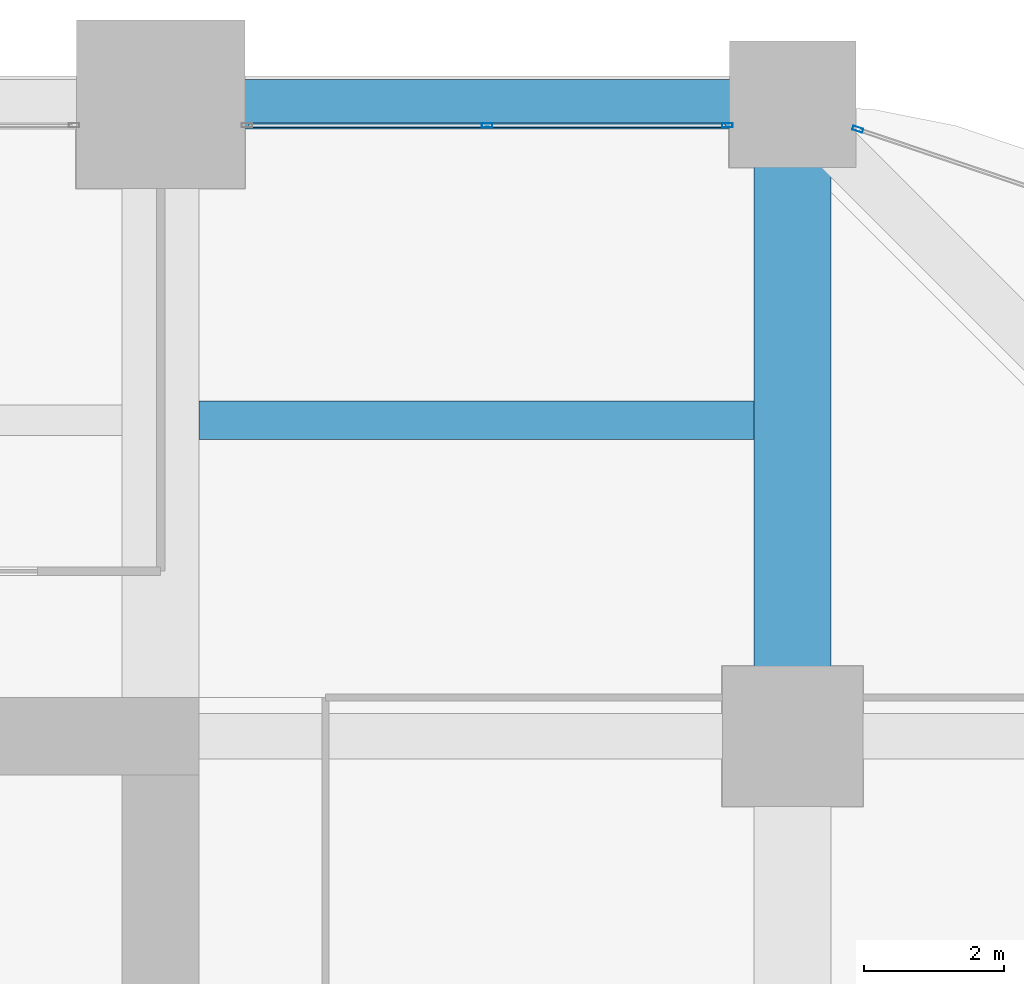
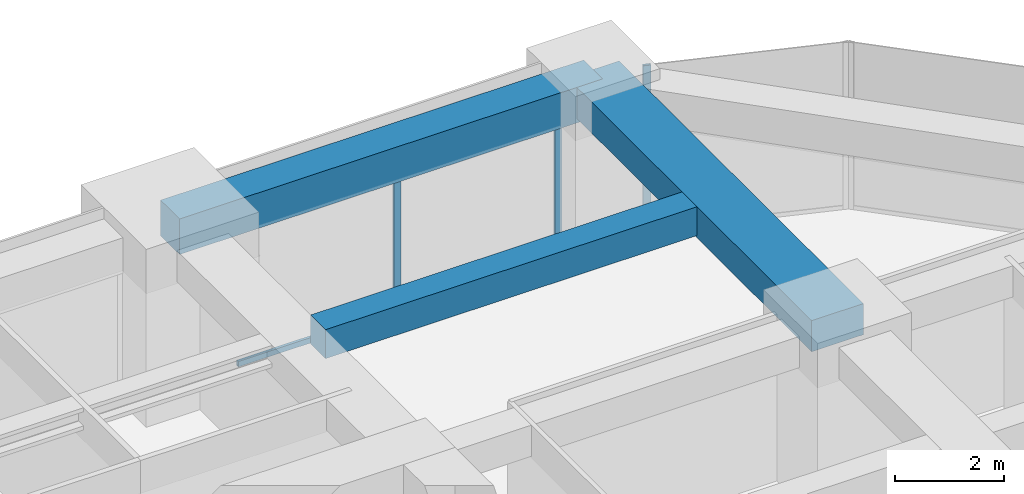
# One storey, part 33 of 41: 4 members, 3 beams, 2 elements without a shape of their own.
"""IFC4 building model written with IfcOpenShell, lengths in metres."""

from ifc_helpers import new_model, si_unit, direction, frame, origin, origin_2d, place, context, subcontext, project, spatial, rectangle, hollow_rectangle, extrude, material, material_profile, profile_set, type_object, element, aggregate, save


model = new_model("IFC4")

# Units and contexts
model_context = context("Model", 3, precision=1e-05, world=origin(), true_north=direction((0.0, 1.0)))
body_context = subcontext(model_context, "Body", "Model", "MODEL_VIEW")
ifc_project = project(units=[si_unit("LENGTHUNIT", "METRE"), si_unit("AREAUNIT", "SQUARE_METRE"), si_unit("VOLUMEUNIT", "CUBIC_METRE"), si_unit("PLANEANGLEUNIT", "RADIAN"), si_unit("MASSUNIT", "GRAM", prefix="KILO")], contexts=[model_context])

# Site, building, storey
site_placement = place(None, origin())
site = spatial("IfcSite", under=ifc_project, at=site_placement, CompositionType="ELEMENT")
building_placement = place(site_placement, origin())
building = spatial("IfcBuilding", under=site, at=building_placement, Name="Zorevar Civic Tower", CompositionType="ELEMENT")
storey_placement = place(building_placement, frame((0.0, 0.0, 113.0)))
storey = spatial("IfcBuildingStorey", under=building, at=storey_placement, Name="L27", CompositionType="ELEMENT", Elevation=113.0)

# Beams
ifc_material_1 = material(Name="Concrete C50/60", Category="concrete")
ifc_material_profile_1 = material_profile(ifc_material_1, rectangle(XDim=1.10009765625, YDim=0.699951171875, at=origin_2d()), Name="RC 1100x700")
ifc_profile_set_1 = profile_set([ifc_material_profile_1], Name="Concrete C50/60")
beam_type_1 = type_object("IfcBeamType", Name="Beam RC 1100x700", PredefinedType="BEAM", material=ifc_profile_set_1)
beam_1_placement = place(storey_placement, frame((54.0, 36.0, 3.39990234375), z_axis=(0.0, 1.0, 0.0), x_axis=(-1.0, 0.0, 0.0)))
element("IfcBeam", 1, at=beam_1_placement, inside=storey, type_object=beam_type_1, Name="Girder L28", PredefinedType="BEAM", context=body_context, shape_type="SweptSolid", body=[
    extrude(rectangle(XDim=1.10009765625, YDim=0.699951171875, at=origin_2d()), origin(), (0.0, 0.0, 1.0), 9.0),
])
ifc_material_2 = material(Name="Concrete C50/60", Category="concrete")
ifc_material_profile_2 = material_profile(ifc_material_2, rectangle(XDim=0.550048828125, YDim=0.64990234375, at=origin_2d()), Name="RC 550x650")
ifc_profile_set_2 = profile_set([ifc_material_profile_2], Name="Concrete C50/60")
beam_type_2 = type_object("IfcBeamType", Name="Beam RC 550x650", PredefinedType="BEAM", material=ifc_profile_set_2)
beam_2_placement = place(storey_placement, frame((45.550048828125, 40.5, 3.425048828125), z_axis=(1.0, 0.0, 0.0), x_axis=(0.0, 1.0, 0.0)))
element("IfcBeam", 2, at=beam_2_placement, inside=storey, type_object=beam_type_2, Name="Secondary beam L28", PredefinedType="BEAM", context=body_context, shape_type="SweptSolid", body=[
    extrude(rectangle(XDim=0.550048828125, YDim=0.64990234375, at=origin_2d()), origin(), (0.0, 0.0, 1.0), 7.89990234375),
])

# Curtain wall, members
ifc_material_3 = material(Name="Dark grey solar-control glass in black aluminium frame", Category="aluminium")
curtain_wall_type = type_object("IfcCurtainWallType", Name="Curtain wall CW3 mid zone", PredefinedType="NOTDEFINED", material=ifc_material_3)
curtain_wall_1_placement = place(storey_placement, origin())
curtain_wall_1 = element("IfcCurtainWall", 3, at=curtain_wall_1_placement, inside=storey, type_object=curtain_wall_type, Name="CW3 L27", PredefinedType="NOTDEFINED")
ifc_material_4 = material(Name="Aluminium, black anodised", Category="aluminium")
ifc_material_profile_3 = material_profile(ifc_material_4, hollow_rectangle(XDim=0.06005859375, YDim=0.14990234375, WallThickness=0.00390625, at=origin_2d()), Name="AL 150x60x4")
ifc_profile_set_3 = profile_set([ifc_material_profile_3], Name="Aluminium, black anodised")
member_type_1 = type_object("IfcMemberType", Name="CW3 mullion AL 150x60x4", PredefinedType="MULLION", material=ifc_profile_set_3)
member_1_placement = place(storey_placement, frame((49.64990234375, 44.699951171875, 0.06005859375), z_axis=(0.0, 0.0, 1.0), x_axis=(0.0, 1.0, 0.0)))
member_1 = element("IfcMember", 4, at=member_1_placement, type_object=member_type_1, Name="CW3 mullion 2", PredefinedType="MULLION", context=body_context, shape_type="SweptSolid", body=[
    extrude(hollow_rectangle(XDim=0.06005859375, YDim=0.14990234375, WallThickness=0.00390625, at=origin_2d()), origin(), (0.0, 0.0, 1.0), 2.889892578125),
])
member_2_placement = place(storey_placement, frame((53.070068359375, 44.699951171875, 0.0), z_axis=(0.0, 0.0, 1.0), x_axis=(0.0, 1.0, 0.0)))
member_2 = element("IfcMember", 5, at=member_2_placement, type_object=member_type_1, Name="CW3 mullion 3", PredefinedType="MULLION", context=body_context, shape_type="SweptSolid", body=[
    extrude(hollow_rectangle(XDim=0.06005859375, YDim=0.14990234375, WallThickness=0.00390625, at=origin_2d()), origin(), (0.0, 0.0, 1.0), 2.949951171875),
])

# Curtain wall, member
curtain_wall_2_placement = place(storey_placement, origin())
curtain_wall_2 = element("IfcCurtainWall", 6, at=curtain_wall_2_placement, inside=storey, type_object=curtain_wall_type, Name="CW3 L27", PredefinedType="NOTDEFINED")
member_3_placement = place(storey_placement, frame((54.928466796875, 44.643798828125, 0.0), z_axis=(0.0, 0.0, 1.0), x_axis=(-0.319412525043, -0.947615765406, 0.0)))
member_3 = element("IfcMember", 7, at=member_3_placement, type_object=member_type_1, Name="CW3 mullion 2", PredefinedType="MULLION", context=body_context, shape_type="SweptSolid", body=[
    extrude(hollow_rectangle(XDim=0.06005859375, YDim=0.14990234375, WallThickness=0.00390625, at=origin_2d()), origin(), (0.0, 0.0, 1.0), 3.75),
])
aggregate(curtain_wall_2, [member_3])

# Member
ifc_material_5 = material(Name="Aluminium, black anodised", Category="aluminium")
ifc_material_profile_4 = material_profile(ifc_material_5, hollow_rectangle(XDim=0.06005859375, YDim=0.1201171875, WallThickness=0.0029296875, at=origin_2d()), Name="AL 120x60x3")
ifc_profile_set_4 = profile_set([ifc_material_profile_4], Name="Aluminium, black anodised")
member_type_2 = type_object("IfcMemberType", Name="CW3 transom AL 120x60x3", PredefinedType="USERDEFINED", material=ifc_profile_set_4)
member_4_placement = place(storey_placement, frame((46.260009765625, 44.699951171875, 0.030029296875), z_axis=(1.0, 0.0, 0.0), x_axis=(0.0, 1.0, 0.0)))
member_4 = element("IfcMember", 8, at=member_4_placement, type_object=member_type_2, Name="CW3 sill transom", ObjectType="TRANSOM", PredefinedType="USERDEFINED", context=body_context, shape_type="SweptSolid", body=[
    extrude(hollow_rectangle(XDim=0.06005859375, YDim=0.1201171875, WallThickness=0.0029296875, at=origin_2d()), origin(), (0.0, 0.0, 1.0), 6.780029296875),
])

aggregate(curtain_wall_1, [member_1, member_2, member_4])

# Beam
ifc_material_6 = material(Name="Concrete C50/60", Category="concrete")
ifc_material_profile_5 = material_profile(ifc_material_6, rectangle(XDim=0.699951171875, YDim=0.800048828125, at=origin_2d()), Name="RC 700x800")
ifc_profile_set_5 = profile_set([ifc_material_profile_5], Name="Concrete C50/60")
beam_type_3 = type_object("IfcBeamType", Name="Edge beam RC 700x800", PredefinedType="SPANDREL", material=ifc_profile_set_5)
beam_3_placement = place(storey_placement, frame((45.0, 45.0, 3.35009765625), z_axis=(1.0, 0.0, 0.0), x_axis=(0.0, 1.0, 0.0)))
element("IfcBeam", 9, at=beam_3_placement, inside=storey, type_object=beam_type_3, Name="Edge beam L28", PredefinedType="SPANDREL", context=body_context, shape_type="SweptSolid", body=[
    extrude(rectangle(XDim=0.699951171875, YDim=0.800048828125, at=origin_2d()), origin(), (0.0, 0.0, 1.0), 9.0),
])

save(model, "model.ifc")
